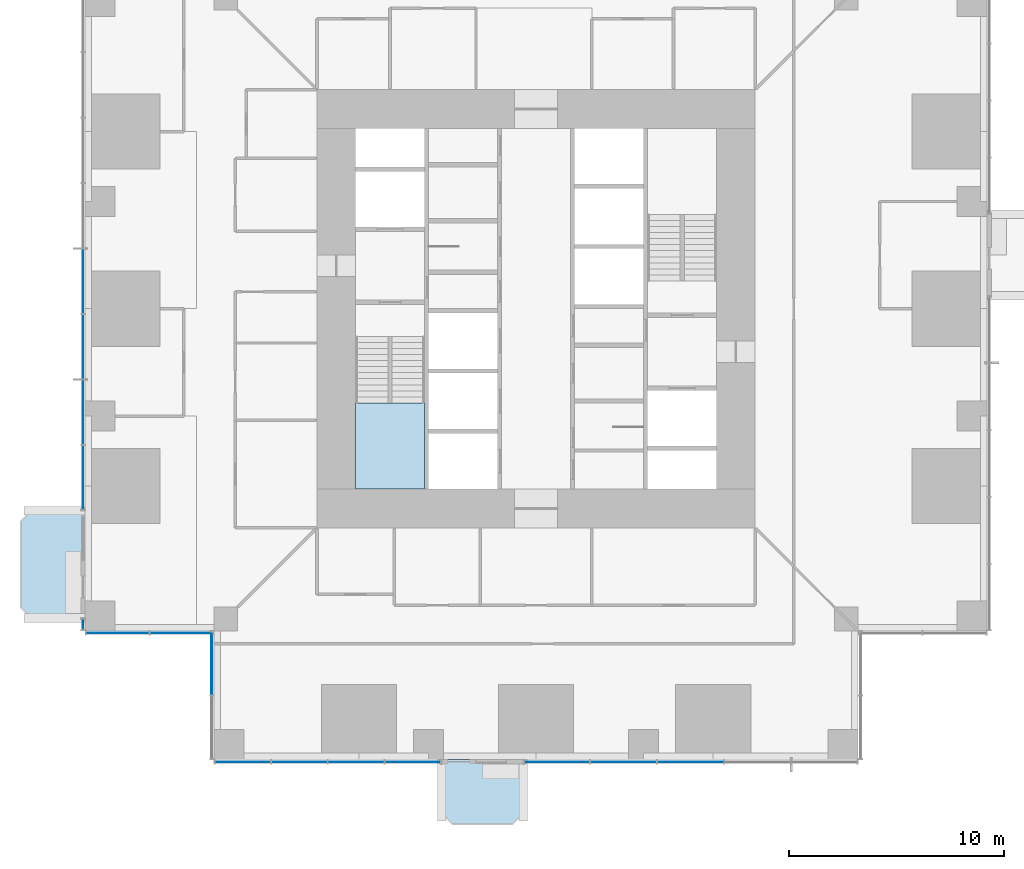
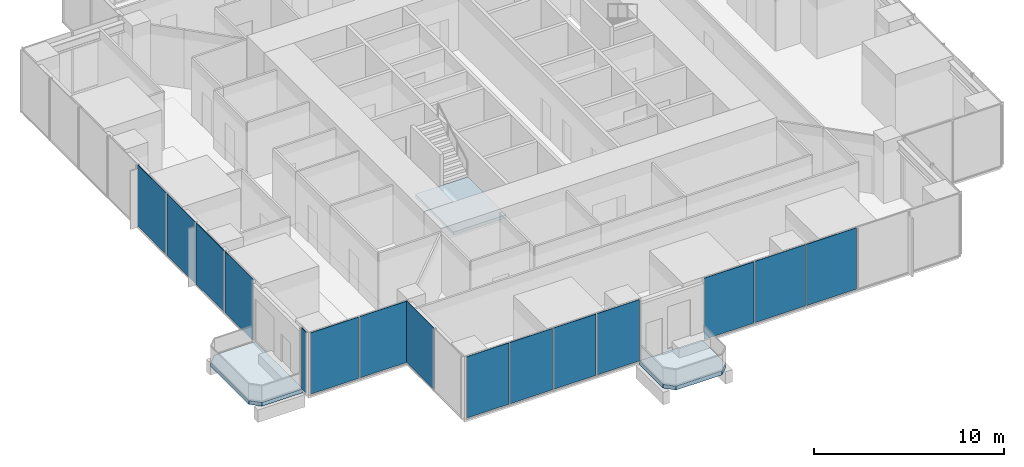
# One storey, part 8 of 17: 15 plates, 3 slabs, 7 elements without a shape of their own.
"""IFC4 building model written with IfcOpenShell, lengths in metres."""

import ifcopenshell
import ifcopenshell.guid

model = None  # the IFC model being written
_history = None  # IfcOwnerHistory: only IFC2X3 demands one
_inside = {}  # id of a spatial element -> (the spatial element, [elements in it])
_under = {}  # id of a project, library or spatial element -> (it, [spatial elements below it])
_declared = {}  # id of a project -> (the project, [libraries it declares])
_typed = {}  # id of a type object -> (the type object, [elements of that type])
_made_of = {}  # id of a material, layer set ... -> (it, [elements and type objects made of it])


def new_model(schema):
    """Start an empty IFC model of exactly this schema.

    Asked for "IFC4X3", IfcOpenShell would pick the latest addendum, in which some entities
    have other attributes; the version numbers below select the first issue.
    IFC2X3 requires an IfcOwnerHistory on every rooted entity: one is made here for all.
    """
    global model, _history
    if schema == "IFC4X3":
        model = ifcopenshell.file(schema_version=(4, 3, 0, 0))
    else:
        model = ifcopenshell.file(schema=schema)
    _inside.clear()
    _under.clear()
    _declared.clear()
    _typed.clear()
    _made_of.clear()
    _history = None
    if model.schema == "IFC2X3":
        org = make("IfcOrganization", Name="unknown")
        user = make(
            "IfcPersonAndOrganization",
            ThePerson=make("IfcPerson", FamilyName="unknown"),
            TheOrganization=org,
        )
        app = make(
            "IfcApplication",
            ApplicationDeveloper=org,
            Version="unknown",
            ApplicationFullName="unknown",
            ApplicationIdentifier="unknown",
        )
        _history = make(
            "IfcOwnerHistory",
            OwningUser=user,
            OwningApplication=app,
            ChangeAction="ADDED",
            CreationDate=0,
        )
    return model


def make(cls, **values):
    """One entity of the class cls with the attributes given. An attribute that is None is left unset."""
    return model.create_entity(
        cls, **{name: value for name, value in values.items() if value is not None}
    )


def rooted(cls, **values):
    """An entity with a GlobalId (a new one), such as an element, a storey or a relation."""
    return make(cls, GlobalId=ifcopenshell.guid.new(), OwnerHistory=_history, **values)


def si_unit(unit_type, name, prefix=None):
    """IfcSIUnit, for example si_unit("LENGTHUNIT", "METRE", prefix="MILLI")."""
    return make("IfcSIUnit", UnitType=unit_type, Prefix=prefix, Name=name)


def assignment(units):
    """IfcUnitAssignment: the units of a project."""
    return None if units is None else make("IfcUnitAssignment", Units=units)


def point(xyz):
    """IfcCartesianPoint."""
    return None if xyz is None else make("IfcCartesianPoint", Coordinates=xyz)


def direction(xyz):
    """IfcDirection."""
    return None if xyz is None else make("IfcDirection", DirectionRatios=xyz)


def frame(location, z_axis=None, x_axis=None):
    """IfcAxis2Placement3D, a coordinate frame: its origin and axes. An axis left out is left unset."""
    return make(
        "IfcAxis2Placement3D",
        Location=point(location),
        Axis=direction(z_axis),
        RefDirection=direction(x_axis),
    )


def frame_2d(location, x_axis=None):
    """IfcAxis2Placement2D, a coordinate frame in the plane: its origin and x axis."""
    return make(
        "IfcAxis2Placement2D", Location=point(location), RefDirection=direction(x_axis)
    )


def origin():
    """The frame at (0, 0, 0) with its axes left unset."""
    return frame((0.0, 0.0, 0.0))


def origin_2d():
    """The frame at (0, 0) in the plane with its x axis left unset."""
    return frame_2d((0.0, 0.0))


def place(relative_to, where):
    """IfcLocalPlacement: puts the frame where relative to a parent placement (None: the world)."""
    return make(
        "IfcLocalPlacement", PlacementRelTo=relative_to, RelativePlacement=where
    )


def context(
    kind, dimensions, precision=None, world=None, true_north=None, identifier=None
):
    """IfcGeometricRepresentationContext, for example the 3D "Model" context."""
    return make(
        "IfcGeometricRepresentationContext",
        ContextIdentifier=identifier,
        ContextType=kind,
        CoordinateSpaceDimension=dimensions,
        Precision=precision,
        WorldCoordinateSystem=world,
        TrueNorth=true_north,
    )


def subcontext(parent, identifier, kind, view, scale=None):
    """IfcGeometricRepresentationSubContext, for example "Body" below "Model"."""
    return make(
        "IfcGeometricRepresentationSubContext",
        ContextIdentifier=identifier,
        ContextType=kind,
        ParentContext=parent,
        TargetScale=scale,
        TargetView=view,
    )


def project(units=None, contexts=None):
    """IfcProject with its units and contexts."""
    return rooted(
        "IfcProject",
        Name="project",
        RepresentationContexts=contexts,
        UnitsInContext=assignment(units),
    )


def spatial(cls, under=None, at=None, **own):
    """A site, building, storey or space (cls), placed at a placement, below another one or the project."""
    s = rooted(cls, ObjectPlacement=at, **own)
    if under is not None:
        _under.setdefault(under.id(), (under, []))[1].append(s)
    return s


def polyline(points):
    """IfcPolyline through the points."""
    return make("IfcPolyline", Points=[point(p) for p in points])


def profile(cls, at=None, kind="AREA", **sizes):
    """A parametric profile (cls). Its sizes go by their IFC names, for example OverallWidth=200.0."""
    return make(cls, ProfileType=kind, Position=at, **sizes)


def rectangle(**sizes):
    """IfcRectangleProfileDef."""
    return profile("IfcRectangleProfileDef", **sizes)


def outline(outer, holes=None, kind="AREA"):
    """IfcArbitraryClosedProfileDef: a profile drawn as a closed curve; with holes, ...WithVoids."""
    if holes is None:
        return make("IfcArbitraryClosedProfileDef", ProfileType=kind, OuterCurve=outer)
    return make(
        "IfcArbitraryProfileDefWithVoids",
        ProfileType=kind,
        OuterCurve=outer,
        InnerCurves=holes,
    )


def extrude(swept, where, along, depth):
    """IfcExtrudedAreaSolid: the profile swept, set in the frame where, extruded along a direction by depth."""
    return make(
        "IfcExtrudedAreaSolid",
        SweptArea=swept,
        Position=where,
        ExtrudedDirection=direction(along),
        Depth=depth,
    )


def shape(context_of_items, identifier, shape_type, items):
    """IfcShapeRepresentation: the items that make up one representation, for example the "Body"."""
    return make(
        "IfcShapeRepresentation",
        ContextOfItems=context_of_items,
        RepresentationIdentifier=identifier,
        RepresentationType=shape_type,
        Items=items,
    )


def material(Name=None, Category=None):
    """IfcMaterial."""
    return make("IfcMaterial", Name=Name, Category=Category)


def layer(
    of_material, thickness, ventilated=None, Name=None, Category=None, Priority=None
):
    """IfcMaterialLayer: one layer of a wall or slab, of a material (None: an air gap)."""
    return make(
        "IfcMaterialLayer",
        Material=of_material,
        LayerThickness=thickness,
        IsVentilated=ventilated,
        Name=Name,
        Category=Category,
        Priority=Priority,
    )


def layer_set(layers, Name=None):
    """IfcMaterialLayerSet."""
    return make("IfcMaterialLayerSet", MaterialLayers=layers, LayerSetName=Name)


def made_of(thing, what):
    """Note that an element or type object is made of a material, layer set ...; save() writes the relation."""
    if what is not None:
        _made_of.setdefault(what.id(), (what, []))[1].append(thing)
    return thing


def type_object(cls, material=None, **own):
    """A type object (cls), such as IfcWallType, which elements share."""
    return made_of(rooted(cls, **own), material)


def element(
    cls,
    number,
    at=None,
    inside=None,
    cuts=None,
    type_object=None,
    material=None,
    context=None,
    identifier="Body",
    shape_type=None,
    held_by="IfcProductDefinitionShape",
    body=None,
    shapes=None,
    **own,
):
    """One element of the class cls, such as IfcWall. Its Tag is "e" and its number.

    at: its placement. inside: the storey or other place that contains it. cuts: it is an
    opening in that element (IfcRelVoidsElement). A single representation is given by context,
    identifier, shape_type and body (its items); several are given by shapes. held_by: the class
    of the entity that holds the representations. save() writes the other relations.
    """
    e = rooted(cls, Tag="e%d" % number, ObjectPlacement=at, **own)
    if body is not None:
        shapes = [shape(context, identifier, shape_type, body)]
    if shapes is not None:
        e.Representation = make(held_by, Representations=shapes)
    if inside is not None:
        _inside.setdefault(inside.id(), (inside, []))[1].append(e)
    if cuts is not None:
        rooted(
            "IfcRelVoidsElement", RelatingBuildingElement=cuts, RelatedOpeningElement=e
        )
    if type_object is not None:
        _typed.setdefault(type_object.id(), (type_object, []))[1].append(e)
    return made_of(e, material)


def aggregate(whole, parts):
    """IfcRelAggregates: a whole, such as a stair, and the parts it consists of."""
    return rooted("IfcRelAggregates", RelatingObject=whole, RelatedObjects=parts)


def save(model, path):
    """Write the relations noted so far, then the file.

    IfcRelAggregates (storeys below a building ...), IfcRelContainedInSpatialStructure (elements
    in a storey), IfcRelDefinesByType, IfcRelAssociatesMaterial and IfcRelDeclares: one each for
    every whole, place, type object, material and project.
    """
    for whole, parts in _under.values():
        aggregate(whole, parts)
    for where, things in _inside.values():
        rooted(
            "IfcRelContainedInSpatialStructure",
            RelatedElements=things,
            RelatingStructure=where,
        )
    for kind, things in _typed.values():
        rooted("IfcRelDefinesByType", RelatedObjects=things, RelatingType=kind)
    for what, things in _made_of.values():
        rooted("IfcRelAssociatesMaterial", RelatedObjects=things, RelatingMaterial=what)
    for by, libraries in _declared.values():
        rooted("IfcRelDeclares", RelatingContext=by, RelatedDefinitions=libraries)
    model.write(path)


model = new_model("IFC4")

# Units and contexts
model_context = context("Model", 3, precision=1e-05, world=origin(), true_north=direction((0.0, 1.0)))
body_context = subcontext(model_context, "Body", "Model", "MODEL_VIEW")
ifc_project = project(units=[si_unit("LENGTHUNIT", "METRE"), si_unit("AREAUNIT", "SQUARE_METRE"), si_unit("VOLUMEUNIT", "CUBIC_METRE"), si_unit("PLANEANGLEUNIT", "RADIAN"), si_unit("MASSUNIT", "GRAM", prefix="KILO")], contexts=[model_context])

# Site, building, storey
site_placement = place(None, origin())
site = spatial("IfcSite", under=ifc_project, at=site_placement, CompositionType="ELEMENT")
building_placement = place(site_placement, origin())
building = spatial("IfcBuilding", under=site, at=building_placement, Name="Svetlomir Tower", CompositionType="ELEMENT")
storey_placement = place(building_placement, frame((0.0, 0.0, 38.5)))
storey = spatial("IfcBuildingStorey", under=building, at=storey_placement, Name="L08", CompositionType="ELEMENT", Elevation=38.5)

# Slabs
ifc_material_1 = material(Name="Concrete C60/75", Category="concrete")
ifc_layer_1 = layer(ifc_material_1, 0.25)
ifc_layer_set_1 = layer_set([ifc_layer_1], Name="Concrete C60/75")
slab_type_1 = type_object("IfcSlabType", Name="BALCONY SLAB 250", PredefinedType="FLOOR", material=ifc_layer_set_1)
slab_1_placement = place(storey_placement, frame((0.0, 0.0, -0.25)))
element("IfcSlab", 1, at=slab_1_placement, inside=storey, type_object=slab_type_1, Name="L08 S planted balcony", PredefinedType="FLOOR", context=body_context, shape_type="SweptSolid", body=[
    extrude(outline(polyline([(16.60009765625, -2.5), (17.10009765625, -3.0), (19.89990234375, -3.0), (20.39990234375, -2.5), (20.39990234375, 0.0), (16.60009765625, 0.0), (16.60009765625, -2.5)])), origin(), (0.0, 0.0, 1.0), 0.25),
])
slab_2_placement = place(storey_placement, frame((0.0, 0.0, -0.25)))
element("IfcSlab", 2, at=slab_2_placement, inside=storey, type_object=slab_type_1, Name="L08 W planted balcony", PredefinedType="FLOOR", context=body_context, shape_type="SweptSolid", body=[
    extrude(outline(polyline([(-2.5, 6.60009765625), (0.0, 6.60009765625), (0.0, 11.60009765625), (-2.5, 11.60009765625), (-3.0, 11.10009765625), (-3.0, 7.10009765625), (-2.5, 6.60009765625)])), origin(), (0.0, 0.0, 1.0), 0.25),
])

# Curtain wall, plates
ifc_material_2 = material(Name="Bronze anodised aluminium curtain wall", Category="aluminium")
curtain_wall_type = type_object("IfcCurtainWallType", Name="CURTAIN WALL CW1 TOWER OFFICE", PredefinedType="NOTDEFINED", material=ifc_material_2)
curtain_wall_1_placement = place(storey_placement, origin())
curtain_wall_1 = element("IfcCurtainWall", 3, at=curtain_wall_1_placement, inside=storey, type_object=curtain_wall_type, Name="Curtain wall CW1 L08", PredefinedType="NOTDEFINED")
ifc_material_3 = material(Name="Tinted double glazed unit", Category="glass")
ifc_layer_2 = layer(ifc_material_3, 0.031982421875)
ifc_layer_set_2 = layer_set([ifc_layer_2], Name="Tinted double glazed unit")
plate_type = type_object("IfcPlateType", Name="CW1 GLAZED PANEL 32", PredefinedType="CURTAIN_PANEL", material=ifc_layer_set_2)
plate_1_placement = place(storey_placement, frame((7.34130859375, -0.10009765625, 0.06494140625), z_axis=(0.0, 0.0, 1.0), x_axis=(1.0, 0.0, 0.0)))
plate_1 = element("IfcPlate", 4, at=plate_1_placement, type_object=plate_type, Name="CW1 panel 1.1", PredefinedType="CURTAIN_PANEL", context=body_context, shape_type="SweptSolid", body=[
    extrude(rectangle(XDim=2.552490234375, YDim=0.031982421875, at=origin_2d()), origin(), (0.0, 0.0, 1.0), 3.93505859375),
])
plate_2_placement = place(storey_placement, frame((9.97509765625, -0.10009765625, 0.06494140625), z_axis=(0.0, 0.0, 1.0), x_axis=(1.0, 0.0, 0.0)))
plate_2 = element("IfcPlate", 5, at=plate_2_placement, type_object=plate_type, Name="CW1 panel 2.1", PredefinedType="CURTAIN_PANEL", context=body_context, shape_type="SweptSolid", body=[
    extrude(rectangle(XDim=2.5849609375, YDim=0.031982421875, at=origin_2d()), origin(), (0.0, 0.0, 1.0), 3.93505859375),
])
plate_3_placement = place(storey_placement, frame((12.625, -0.10009765625, 0.06494140625), z_axis=(0.0, 0.0, 1.0), x_axis=(1.0, 0.0, 0.0)))
plate_3 = element("IfcPlate", 6, at=plate_3_placement, type_object=plate_type, Name="CW1 panel 3.1", PredefinedType="CURTAIN_PANEL", context=body_context, shape_type="SweptSolid", body=[
    extrude(rectangle(XDim=2.5849609375, YDim=0.031982421875, at=origin_2d()), origin(), (0.0, 0.0, 1.0), 3.93505859375),
])
plate_4_placement = place(storey_placement, frame((15.2587890625, -0.10009765625, 0.06494140625), z_axis=(0.0, 0.0, 1.0), x_axis=(1.0, 0.0, 0.0)))
plate_4 = element("IfcPlate", 7, at=plate_4_placement, type_object=plate_type, Name="CW1 panel 4.1", PredefinedType="CURTAIN_PANEL", context=body_context, shape_type="SweptSolid", body=[
    extrude(rectangle(XDim=2.552490234375, YDim=0.031982421875, at=origin_2d()), origin(), (0.0, 0.0, 1.0), 3.93505859375),
])
aggregate(curtain_wall_1, [plate_1, plate_2, plate_3, plate_4])

curtain_wall_2_placement = place(storey_placement, origin())
curtain_wall_2 = element("IfcCurtainWall", 8, at=curtain_wall_2_placement, inside=storey, type_object=curtain_wall_type, Name="Curtain wall CW1 L08", PredefinedType="NOTDEFINED")
plate_5_placement = place(storey_placement, frame((21.976318359375, -0.10009765625, 0.06494140625), z_axis=(0.0, 0.0, 1.0), x_axis=(1.0, 0.0, 0.0)))
plate_5 = element("IfcPlate", 9, at=plate_5_placement, type_object=plate_type, Name="CW1 panel 1.1", PredefinedType="CURTAIN_PANEL", context=body_context, shape_type="SweptSolid", body=[
    extrude(rectangle(XDim=3.0224609375, YDim=0.031982421875, at=origin_2d()), origin(), (0.0, 0.0, 1.0), 3.93505859375),
])
plate_6_placement = place(storey_placement, frame((25.080078125, -0.10009765625, 0.06494140625), z_axis=(0.0, 0.0, 1.0), x_axis=(1.0, 0.0, 0.0)))
plate_6 = element("IfcPlate", 10, at=plate_6_placement, type_object=plate_type, Name="CW1 panel 2.1", PredefinedType="CURTAIN_PANEL", context=body_context, shape_type="SweptSolid", body=[
    extrude(rectangle(XDim=3.054931640625, YDim=0.031982421875, at=origin_2d()), origin(), (0.0, 0.0, 1.0), 3.93505859375),
])
plate_7_placement = place(storey_placement, frame((28.199951171875, -0.10009765625, 0.06494140625), z_axis=(0.0, 0.0, 1.0), x_axis=(1.0, 0.0, 0.0)))
plate_7 = element("IfcPlate", 11, at=plate_7_placement, type_object=plate_type, Name="CW1 panel 3.1", PredefinedType="CURTAIN_PANEL", context=body_context, shape_type="SweptSolid", body=[
    extrude(rectangle(XDim=3.054931640625, YDim=0.031982421875, at=origin_2d()), origin(), (0.0, 0.0, 1.0), 3.93505859375),
])
aggregate(curtain_wall_2, [plate_5, plate_6, plate_7])

curtain_wall_3_placement = place(storey_placement, origin())
curtain_wall_3 = element("IfcCurtainWall", 12, at=curtain_wall_3_placement, inside=storey, type_object=curtain_wall_type, Name="Curtain wall CW1 L08", PredefinedType="NOTDEFINED")
plate_8_placement = place(storey_placement, frame((-0.10009765625, 22.27490234375, 0.06494140625), z_axis=(0.0, 0.0, 1.0), x_axis=(0.0, -1.0, 0.0)))
plate_8 = element("IfcPlate", 13, at=plate_8_placement, type_object=plate_type, Name="CW1 panel 5.1", PredefinedType="CURTAIN_PANEL", context=body_context, shape_type="SweptSolid", body=[
    extrude(rectangle(XDim=2.985107421875, YDim=0.031982421875, at=origin_2d()), origin(), (0.0, 0.0, 1.0), 3.93505859375),
])
plate_9_placement = place(storey_placement, frame((-0.10009765625, 19.22509765625, 0.06494140625), z_axis=(0.0, 0.0, 1.0), x_axis=(0.0, -1.0, 0.0)))
plate_9 = element("IfcPlate", 14, at=plate_9_placement, type_object=plate_type, Name="CW1 panel 6.1", PredefinedType="CURTAIN_PANEL", context=body_context, shape_type="SweptSolid", body=[
    extrude(rectangle(XDim=2.985107421875, YDim=0.031982421875, at=origin_2d()), origin(), (0.0, 0.0, 1.0), 3.93505859375),
])
plate_10_placement = place(storey_placement, frame((-0.10009765625, 16.175048828125, 0.06494140625), z_axis=(0.0, 0.0, 1.0), x_axis=(0.0, -1.0, 0.0)))
plate_10 = element("IfcPlate", 15, at=plate_10_placement, type_object=plate_type, Name="CW1 panel 7.1", PredefinedType="CURTAIN_PANEL", context=body_context, shape_type="SweptSolid", body=[
    extrude(rectangle(XDim=2.985107421875, YDim=0.031982421875, at=origin_2d()), origin(), (0.0, 0.0, 1.0), 3.93505859375),
])
plate_11_placement = place(storey_placement, frame((-0.10009765625, 13.141357421875, 0.06494140625), z_axis=(0.0, 0.0, 1.0), x_axis=(0.0, -1.0, 0.0)))
plate_11 = element("IfcPlate", 16, at=plate_11_placement, type_object=plate_type, Name="CW1 panel 8.1", PredefinedType="CURTAIN_PANEL", context=body_context, shape_type="SweptSolid", body=[
    extrude(rectangle(XDim=2.952392578125, YDim=0.031982421875, at=origin_2d()), origin(), (0.0, 0.0, 1.0), 3.93505859375),
])
aggregate(curtain_wall_3, [plate_8, plate_9, plate_10, plate_11])

# Curtain wall, plate
curtain_wall_4_placement = place(storey_placement, origin())
curtain_wall_4 = element("IfcCurtainWall", 17, at=curtain_wall_4_placement, inside=storey, type_object=curtain_wall_type, Name="Curtain wall CW1 L08", PredefinedType="NOTDEFINED")
plate_12_placement = place(storey_placement, frame((-0.10009765625, 6.300048828125, 0.06494140625), z_axis=(0.0, 0.0, 1.0), x_axis=(0.0, -1.0, 0.0)))
plate_12 = element("IfcPlate", 18, at=plate_12_placement, type_object=plate_type, Name="CW1 panel 1.1", PredefinedType="CURTAIN_PANEL", context=body_context, shape_type="SweptSolid", body=[
    extrude(rectangle(XDim=0.469970703125, YDim=0.031982421875, at=origin_2d()), origin(), (0.0, 0.0, 1.0), 3.93505859375),
])
aggregate(curtain_wall_4, [plate_12])

# Curtain wall, plates
curtain_wall_5_placement = place(storey_placement, origin())
curtain_wall_5 = element("IfcCurtainWall", 19, at=curtain_wall_5_placement, inside=storey, type_object=curtain_wall_type, Name="Curtain wall CW1 L08", PredefinedType="NOTDEFINED")
plate_13_placement = place(storey_placement, frame((1.516357421875, 5.89990234375, 0.06494140625), z_axis=(0.0, 0.0, 1.0), x_axis=(1.0, 0.0, 0.0)))
plate_13 = element("IfcPlate", 20, at=plate_13_placement, type_object=plate_type, Name="CW1 panel 1.1", PredefinedType="CURTAIN_PANEL", context=body_context, shape_type="SweptSolid", body=[
    extrude(rectangle(XDim=2.902587890625, YDim=0.031982421875, at=origin_2d()), origin(), (0.0, 0.0, 1.0), 3.93505859375),
])
plate_14_placement = place(storey_placement, frame((4.483642578125, 5.89990234375, 0.06494140625), z_axis=(0.0, 0.0, 1.0), x_axis=(1.0, 0.0, 0.0)))
plate_14 = element("IfcPlate", 21, at=plate_14_placement, type_object=plate_type, Name="CW1 panel 2.1", PredefinedType="CURTAIN_PANEL", context=body_context, shape_type="SweptSolid", body=[
    extrude(rectangle(XDim=2.902587890625, YDim=0.031982421875, at=origin_2d()), origin(), (0.0, 0.0, 1.0), 3.93505859375),
])
aggregate(curtain_wall_5, [plate_13, plate_14])

# Curtain wall, plate
curtain_wall_6_placement = place(storey_placement, origin())
curtain_wall_6 = element("IfcCurtainWall", 22, at=curtain_wall_6_placement, inside=storey, type_object=curtain_wall_type, Name="Curtain wall CW1 L08", PredefinedType="NOTDEFINED")
plate_15_placement = place(storey_placement, frame((5.89990234375, 4.483642578125, 0.06494140625), z_axis=(0.0, 0.0, 1.0), x_axis=(0.0, -1.0, 0.0)))
plate_15 = element("IfcPlate", 23, at=plate_15_placement, type_object=plate_type, Name="CW1 panel 1.1", PredefinedType="CURTAIN_PANEL", context=body_context, shape_type="SweptSolid", body=[
    extrude(rectangle(XDim=2.902587890625, YDim=0.031982421875, at=origin_2d()), origin(), (0.0, 0.0, 1.0), 3.93505859375),
])
aggregate(curtain_wall_6, [plate_15])

# Stair, slab
ifc_material_4 = material(Name="Concrete C60/75", Category="concrete")
stair_type = type_object("IfcStairType", Name="EXIT STAIR 3200 RISE 4000", PredefinedType="HALF_TURN_STAIR", material=ifc_material_4)
stair_placement = place(storey_placement, origin())
stair = element("IfcStair", 24, at=stair_placement, inside=storey, type_object=stair_type, Name="Stair S1 L08 to L09", PredefinedType="HALF_TURN_STAIR")
ifc_material_5 = material(Name="Concrete C60/75", Category="concrete")
ifc_layer_3 = layer(ifc_material_5, 0.199951171875)
ifc_layer_set_3 = layer_set([ifc_layer_3], Name="Concrete C60/75")
slab_type_2 = type_object("IfcSlabType", Name="STAIR LANDING 200", PredefinedType="LANDING", material=ifc_layer_set_3)
slab_3_placement = place(storey_placement, frame((0.0, 0.0, 1.800048828125)))
slab_3 = element("IfcSlab", 25, at=slab_3_placement, type_object=slab_type_2, Name="S1 landing 1", PredefinedType="LANDING", context=body_context, shape_type="SweptSolid", body=[
    extrude(outline(polyline([(12.60009765625, 12.60009765625), (15.800048828125, 12.60009765625), (15.800048828125, 16.6201171875), (12.60009765625, 16.6201171875), (12.60009765625, 12.60009765625)])), origin(), (0.0, 0.0, 1.0), 0.199951171875),
])
aggregate(stair, [slab_3])

save(model, "model.ifc")
